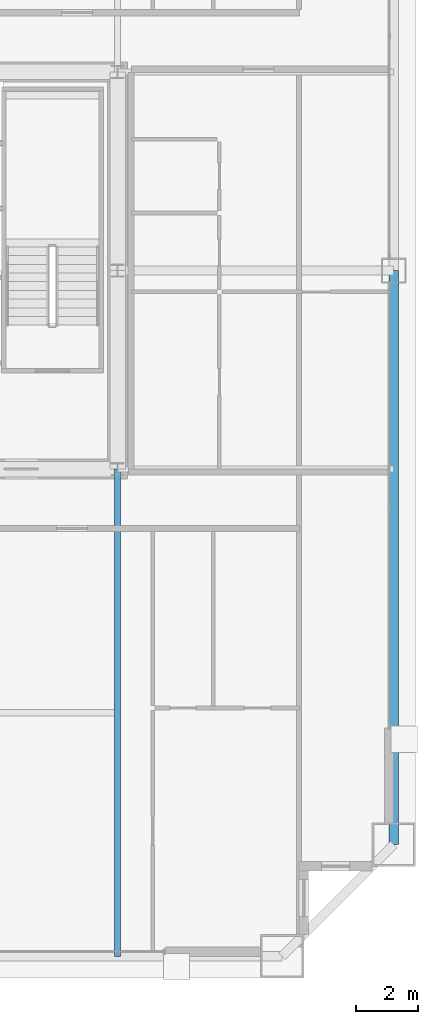
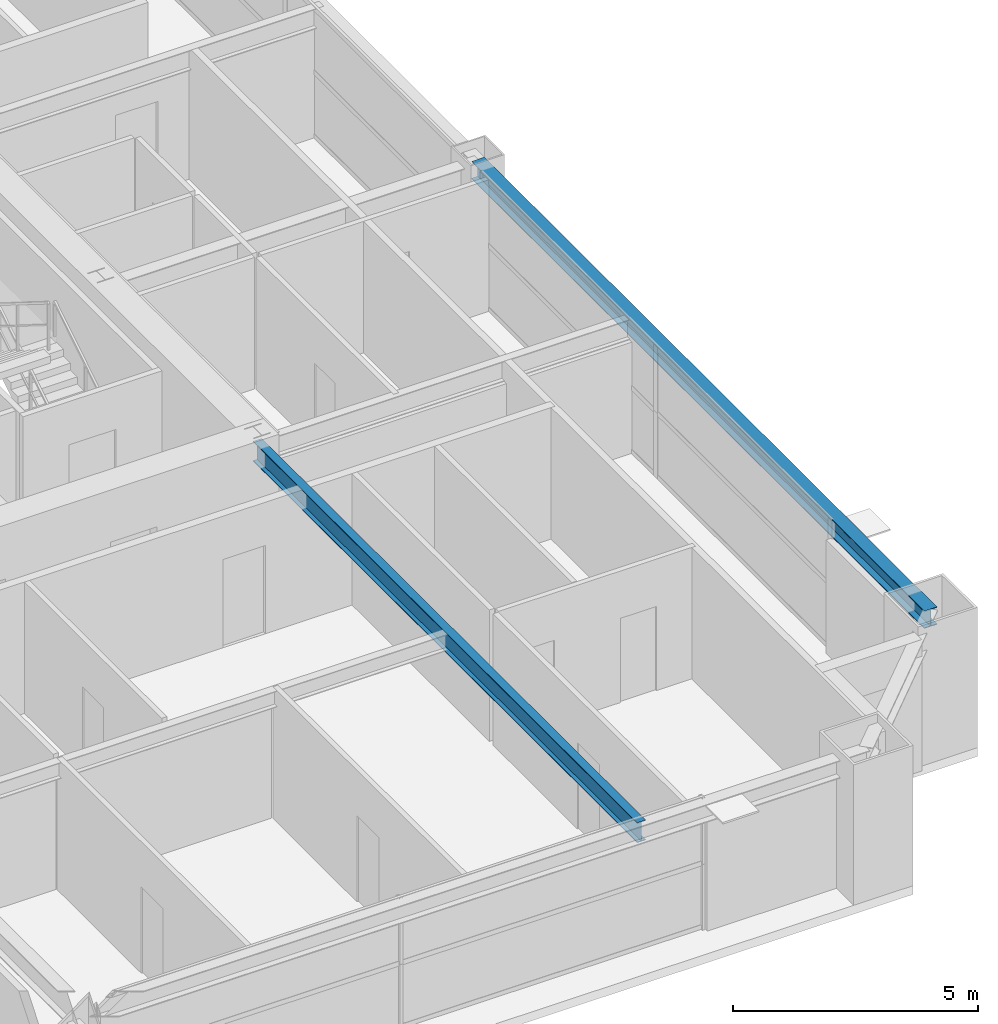
# One storey, part 17 of 38: 2 beams.
"""IFC4 building model written with IfcOpenShell, lengths in metres."""

from ifc_helpers import new_model, si_unit, direction, frame, origin, origin_2d, place, context, subcontext, project, spatial, i_section, extrude, source, transform, mapped, material, material_profile, profile_set, type_object, element, save


model = new_model("IFC4")

# Units and contexts
model_context = context("Model", 3, precision=1e-05, world=origin(), true_north=direction((0.0, 1.0)))
body_context = subcontext(model_context, "Body", "Model", "MODEL_VIEW")
ifc_project = project(units=[si_unit("LENGTHUNIT", "METRE"), si_unit("AREAUNIT", "SQUARE_METRE"), si_unit("VOLUMEUNIT", "CUBIC_METRE"), si_unit("PLANEANGLEUNIT", "RADIAN"), si_unit("MASSUNIT", "GRAM", prefix="KILO"), si_unit("THERMODYNAMICTEMPERATUREUNIT", "KELVIN"), si_unit("POWERUNIT", "WATT")], contexts=[model_context])

# Site, building, storey
site_placement = place(None, origin())
site = spatial("IfcSite", under=ifc_project, at=site_placement, CompositionType="ELEMENT")
building_placement = place(site_placement, origin())
building = spatial("IfcBuilding", under=site, at=building_placement, Name="Yuzanri Waterfront Tower", CompositionType="ELEMENT")
storey_placement = place(building_placement, frame((0.0, 0.0, 195.0)))
storey = spatial("IfcBuildingStorey", under=building, at=storey_placement, Name="L51", CompositionType="ELEMENT", Elevation=195.0)

# Beams
ifc_material_1 = material(Name="Steel Q355B", Category="steel")
ifc_material_profile_1 = material_profile(ifc_material_1, i_section(OverallWidth=0.300048828125, OverallDepth=0.43994140625, WebThickness=0.010986328125, FlangeThickness=0.01806640625, at=origin_2d()), Name="HM 440x300x11x18")
ifc_profile_set_1 = profile_set([ifc_material_profile_1], Name="Steel Q355B")
beam_type_1 = type_object("IfcBeamType", Name="Perimeter Spandrel Q355B HM 440x300", PredefinedType="SPANDREL", material=ifc_profile_set_1)
shared_shape_1 = source(origin(), body_context, "Body", "SweptSolid", [
    extrude(i_section(OverallWidth=0.300048828125, OverallDepth=0.43994140625, WebThickness=0.010986328125, FlangeThickness=0.01806640625, at=origin_2d()), origin(), (0.0, 0.0, 1.0), 18.5),
])
beam_1_placement = place(storey_placement, frame((59.10009765625, 7.300048828125, 3.06005859375), z_axis=(0.0, 1.0, 0.0), x_axis=(-1.0, 0.0, 0.0)))
element("IfcBeam", 1, at=beam_1_placement, inside=storey, type_object=beam_type_1, Name="L51 Perimeter Spandrel E1-E2", PredefinedType="SPANDREL", context=body_context, shape_type="MappedRepresentation", body=[
    mapped(shared_shape_1, transform((0.0, 0.0, 0.0), scale=1.0)),
])
ifc_material_2 = material(Name="Steel Q355B", Category="steel")
ifc_material_profile_2 = material_profile(ifc_material_2, i_section(OverallWidth=0.199951171875, OverallDepth=0.5, WebThickness=0.010009765625, FlangeThickness=0.01611328125, at=origin_2d()), Name="HN 500x200x10x16")
ifc_profile_set_2 = profile_set([ifc_material_profile_2], Name="Steel Q355B")
beam_type_2 = type_object("IfcBeamType", Name="Secondary Floor Beam Q355B HN 500x200", PredefinedType="BEAM", material=ifc_profile_set_2)
shared_shape_2 = source(origin(), body_context, "Body", "SweptSolid", [
    extrude(i_section(OverallWidth=0.199951171875, OverallDepth=0.5, WebThickness=0.010009765625, FlangeThickness=0.01611328125, at=origin_2d()), origin(), (0.0, 0.0, 1.0), 15.699951171875),
])
beam_2_placement = place(storey_placement, frame((50.199951171875, 19.39990234375, 3.030029296875), z_axis=(0.0, -1.0, 0.0), x_axis=(1.0, 0.0, 0.0)))
element("IfcBeam", 2, at=beam_2_placement, inside=storey, type_object=beam_type_2, Name="L51 South-East Core Line Beam", PredefinedType="BEAM", context=body_context, shape_type="MappedRepresentation", body=[
    mapped(shared_shape_2, transform((0.0, 0.0, 0.0), scale=1.0)),
])

save(model, "model.ifc")
